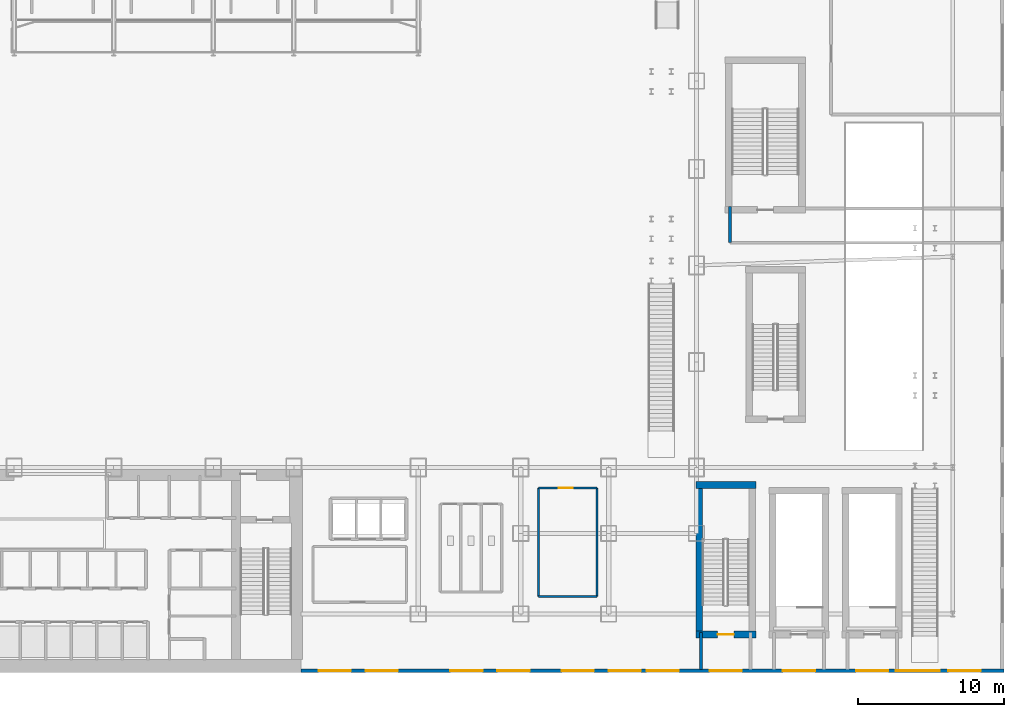
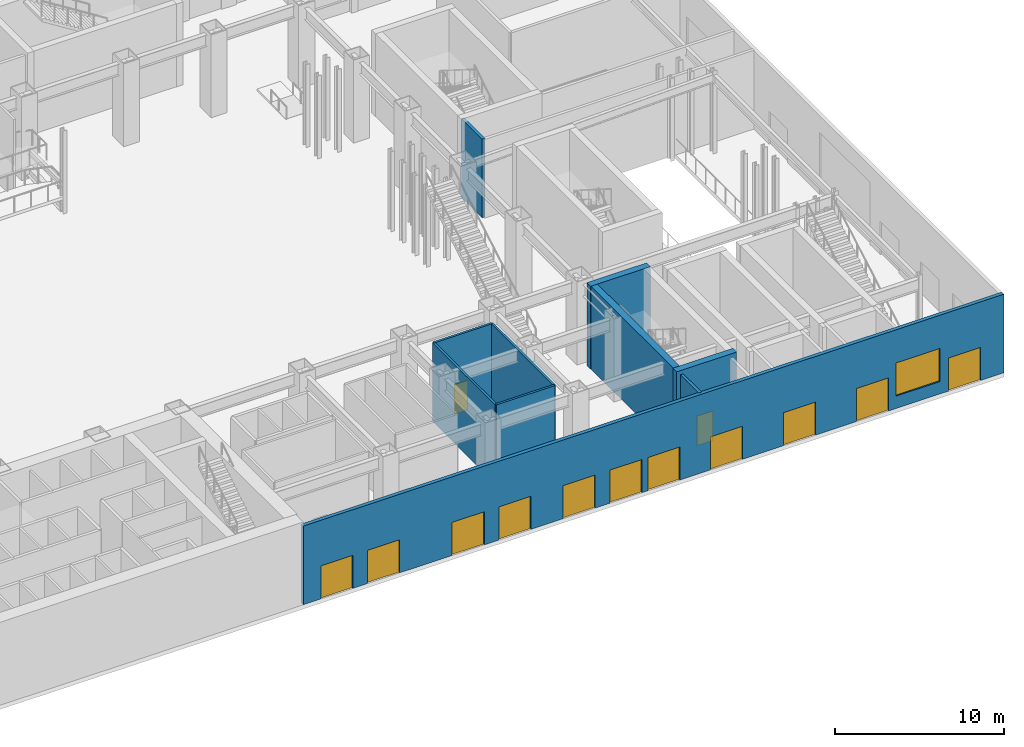
# One storey, part 12 of 25: 13 doors, 10 walls, 1 window, 14 openings.
"""IFC4 building model written with IfcOpenShell, lengths in metres."""

from ifc_helpers import new_model, si_unit, derived_unit, direction, frame, frame_2d, origin, place, context, subcontext, project, spatial, rectangle, extrude, source, transform, mapped, material, layer, layer_set, type_object, element, fill, save


model = new_model("IFC4")

# Units and contexts
model_context = context("Model", 3, precision=1e-05, world=origin(), true_north=direction((0.0, 1.0)))
body_context = subcontext(model_context, "Body", "Model", "MODEL_VIEW")
ifc_project = project(units=[si_unit("LENGTHUNIT", "METRE"), si_unit("AREAUNIT", "SQUARE_METRE"), si_unit("VOLUMEUNIT", "CUBIC_METRE"), si_unit("PLANEANGLEUNIT", "RADIAN"), si_unit("MASSUNIT", "GRAM", prefix="KILO"), derived_unit("THERMALTRANSMITTANCEUNIT", [(si_unit("POWERUNIT", "WATT"), 1), (si_unit("LENGTHUNIT", "METRE"), -2), (si_unit("THERMODYNAMICTEMPERATUREUNIT", "KELVIN"), -1)])], contexts=[model_context])

# Site, building, storey
site_placement = place(None, origin())
site = spatial("IfcSite", under=ifc_project, at=site_placement, CompositionType="ELEMENT")
building_placement = place(site_placement, origin())
building = spatial("IfcBuilding", under=site, at=building_placement, Name="Skarnbrae Concourse Arena and Tower", CompositionType="ELEMENT")
storey_placement = place(building_placement, origin())
storey = spatial("IfcBuildingStorey", under=building, at=storey_placement, Name="L00", CompositionType="ELEMENT", Elevation=0.0)

# Wall, openings, doors, window
ifc_material_1 = material(Name="Precast concrete 40 MPa (C40/50)", Category="concrete")
ifc_layer_1 = layer(ifc_material_1, 0.25)
ifc_layer_set_1 = layer_set([ifc_layer_1], Name="Precast concrete 40 MPa (C40/50)")
wall_type_1 = type_object("IfcWallType", Name="WALL-EXT-SPANDREL-250", PredefinedType="STANDARD", material=ifc_layer_set_1)
shared_shape_1 = source(origin(), body_context, "Body", "SweptSolid", [
    extrude(rectangle(XDim=48.0, YDim=0.25, at=frame_2d((24.0, 0.0))), origin(), (0.0, 0.0, 1.0), 5.699951171875),
])
wall_1_placement = place(storey_placement, frame((34.0, 0.125, 0.0), z_axis=(0.0, 0.0, 1.0), x_axis=(1.0, 0.0, 0.0)))
wall_1 = element("IfcWall", 1, at=wall_1_placement, inside=storey, type_object=wall_type_1, Name="L00 Podium exterior precast wall SE", PredefinedType="STANDARD", context=body_context, shape_type="MappedRepresentation", body=[
    mapped(shared_shape_1, transform((0.0, 0.0, 0.0))),
])
opening_1_placement = place(wall_1_placement, frame((1.199951171875, 0.0, 0.0)))
opening_1 = element("IfcOpeningElement", 2, at=opening_1_placement, cuts=wall_1, Name="Opening DT-EX", PredefinedType="OPENING", context=body_context, shape_type="SweptSolid", body=[
    extrude(rectangle(XDim=2.199951171875, YDim=2.39990234375, at=frame_2d((1.10009765625, 1.199951171875))), frame((0.0, 0.135009765625, 0.0), z_axis=(0.0, -1.0, 0.0), x_axis=(1.0, 0.0, 0.0)), (0.0, 0.0, 1.0), 0.27001953125),
])
opening_2_placement = place(wall_1_placement, frame((4.39990234375, 0.0, 0.0)))
opening_2 = element("IfcOpeningElement", 3, at=opening_2_placement, cuts=wall_1, Name="Opening DT-EX", PredefinedType="OPENING", context=body_context, shape_type="SweptSolid", body=[
    extrude(rectangle(XDim=2.199951171875, YDim=2.39990234375, at=frame_2d((1.10009765625, 1.199951171875))), frame((0.0, 0.135009765625, 0.0), z_axis=(0.0, -1.0, 0.0), x_axis=(1.0, 0.0, 0.0)), (0.0, 0.0, 1.0), 0.27001953125),
])
opening_3_placement = place(wall_1_placement, frame((10.199951171875, 0.0, 0.0)))
opening_3 = element("IfcOpeningElement", 4, at=opening_3_placement, cuts=wall_1, Name="Opening DT-EX", PredefinedType="OPENING", context=body_context, shape_type="SweptSolid", body=[
    extrude(rectangle(XDim=2.199951171875, YDim=2.39990234375, at=frame_2d((1.10009765625, 1.199951171875))), frame((0.0, 0.135009765625, 0.0), z_axis=(0.0, -1.0, 0.0), x_axis=(1.0, 0.0, 0.0)), (0.0, 0.0, 1.0), 0.27001953125),
])
opening_4_placement = place(wall_1_placement, frame((13.39990234375, 0.0, 0.0)))
opening_4 = element("IfcOpeningElement", 5, at=opening_4_placement, cuts=wall_1, Name="Opening DT-EX", PredefinedType="OPENING", context=body_context, shape_type="SweptSolid", body=[
    extrude(rectangle(XDim=2.199951171875, YDim=2.39990234375, at=frame_2d((1.10009765625, 1.199951171875))), frame((0.0, 0.135009765625, 0.0), z_axis=(0.0, -1.0, 0.0), x_axis=(1.0, 0.0, 0.0)), (0.0, 0.0, 1.0), 0.27001953125),
])
opening_5_placement = place(wall_1_placement, frame((17.800048828125, 0.0, 0.0)))
opening_5 = element("IfcOpeningElement", 6, at=opening_5_placement, cuts=wall_1, Name="Opening DT-EX", PredefinedType="OPENING", context=body_context, shape_type="SweptSolid", body=[
    extrude(rectangle(XDim=2.199951171875, YDim=2.39990234375, at=frame_2d((1.10009765625, 1.199951171875))), frame((0.0, 0.135009765625, 0.0), z_axis=(0.0, -1.0, 0.0), x_axis=(1.0, 0.0, 0.0)), (0.0, 0.0, 1.0), 0.27001953125),
])
opening_6_placement = place(wall_1_placement, frame((21.0, 0.0, 0.0)))
opening_6 = element("IfcOpeningElement", 7, at=opening_6_placement, cuts=wall_1, Name="Opening DT-EX", PredefinedType="OPENING", context=body_context, shape_type="SweptSolid", body=[
    extrude(rectangle(XDim=2.199951171875, YDim=2.39990234375, at=frame_2d((1.10009765625, 1.199951171875))), frame((0.0, 0.135009765625, 0.0), z_axis=(0.0, -1.0, 0.0), x_axis=(1.0, 0.0, 0.0)), (0.0, 0.0, 1.0), 0.27001953125),
])
opening_7_placement = place(wall_1_placement, frame((23.60009765625, 0.0, 0.0)))
opening_7 = element("IfcOpeningElement", 8, at=opening_7_placement, cuts=wall_1, Name="Opening DT-EX", PredefinedType="OPENING", context=body_context, shape_type="SweptSolid", body=[
    extrude(rectangle(XDim=2.199951171875, YDim=2.39990234375, at=frame_2d((1.10009765625, 1.199951171875))), frame((0.0, 0.135009765625, 0.0), z_axis=(0.0, -1.0, 0.0), x_axis=(1.0, 0.0, 0.0)), (0.0, 0.0, 1.0), 0.27001953125),
])
opening_8_placement = place(wall_1_placement, frame((27.89990234375, 0.0, 0.0)))
opening_8 = element("IfcOpeningElement", 9, at=opening_8_placement, cuts=wall_1, Name="Opening DT-EX", PredefinedType="OPENING", context=body_context, shape_type="SweptSolid", body=[
    extrude(rectangle(XDim=2.199951171875, YDim=2.39990234375, at=frame_2d((1.10009765625, 1.199951171875))), frame((0.0, 0.135009765625, 0.0), z_axis=(0.0, -1.0, 0.0), x_axis=(1.0, 0.0, 0.0)), (0.0, 0.0, 1.0), 0.27001953125),
])
opening_9_placement = place(wall_1_placement, frame((32.89990234375, 0.0, 0.0)))
opening_9 = element("IfcOpeningElement", 10, at=opening_9_placement, cuts=wall_1, Name="Opening DT-EX", PredefinedType="OPENING", context=body_context, shape_type="SweptSolid", body=[
    extrude(rectangle(XDim=2.199951171875, YDim=2.39990234375, at=frame_2d((1.10009765625, 1.199951171875))), frame((0.0, 0.135009765625, 0.0), z_axis=(0.0, -1.0, 0.0), x_axis=(1.0, 0.0, 0.0)), (0.0, 0.0, 1.0), 0.27001953125),
])
opening_10_placement = place(wall_1_placement, frame((37.89990234375, 0.0, 0.0)))
opening_10 = element("IfcOpeningElement", 11, at=opening_10_placement, cuts=wall_1, Name="Opening DT-EX", PredefinedType="OPENING", context=body_context, shape_type="SweptSolid", body=[
    extrude(rectangle(XDim=2.199951171875, YDim=2.39990234375, at=frame_2d((1.10009765625, 1.199951171875))), frame((0.0, 0.135009765625, 0.0), z_axis=(0.0, -1.0, 0.0), x_axis=(1.0, 0.0, 0.0)), (0.0, 0.0, 1.0), 0.27001953125),
])
opening_11_placement = place(wall_1_placement, frame((44.199951171875, 0.0, 0.0)))
opening_11 = element("IfcOpeningElement", 12, at=opening_11_placement, cuts=wall_1, Name="Opening DT-EX", PredefinedType="OPENING", context=body_context, shape_type="SweptSolid", body=[
    extrude(rectangle(XDim=2.199951171875, YDim=2.39990234375, at=frame_2d((1.10009765625, 1.199951171875))), frame((0.0, 0.135009765625, 0.0), z_axis=(0.0, -1.0, 0.0), x_axis=(1.0, 0.0, 0.0)), (0.0, 0.0, 1.0), 0.27001953125),
])
opening_12_placement = place(wall_1_placement, frame((40.60009765625, 0.0, 0.89990234375)))
opening_12 = element("IfcOpeningElement", 13, at=opening_12_placement, cuts=wall_1, Name="Opening WN-04", PredefinedType="OPENING", context=body_context, shape_type="SweptSolid", body=[
    extrude(rectangle(XDim=3.0, YDim=2.39990234375, at=frame_2d((1.5, 1.199951171875))), frame((0.0, 0.135009765625, 0.0), z_axis=(0.0, -1.0, 0.0), x_axis=(1.0, 0.0, 0.0)), (0.0, 0.0, 1.0), 0.27001953125),
])
ifc_material_2 = material(Name="Bronze anodised aluminium 6063-T6", Category="aluminium")
door_type_1 = type_object("IfcDoorType", Name="DOOR-EXIT-2200", OperationType="DOUBLE_DOOR_SINGLE_SWING", PredefinedType="DOOR", material=ifc_material_2)
shared_shape_2 = source(origin(), body_context, "Body", "SweptSolid", [
    extrude(rectangle(XDim=2.199951171875, YDim=2.39990234375, at=frame_2d((1.10009765625, 1.199951171875))), frame((0.0, 0.02490234375, 0.0), z_axis=(0.0, -1.0, 0.0), x_axis=(1.0, 0.0, 0.0)), (0.0, 0.0, 1.0), 0.050048828125),
])
door_1_placement = place(opening_1_placement, frame((2.199951171875, 0.0, 0.0), z_axis=(0.0, 0.0, 1.0), x_axis=(-1.0, 0.0, 0.0)))
door_1 = element("IfcDoor", 14, at=door_1_placement, inside=storey, type_object=door_type_1, Name="D-0011 Final Exit EX-11", OperationType="DOUBLE_DOOR_SINGLE_SWING", OverallHeight=2.39990234375, OverallWidth=2.199951171875, PredefinedType="DOOR", context=body_context, shape_type="MappedRepresentation", body=[
    mapped(shared_shape_2, transform((0.0, 0.0, 0.0))),
])
fill(opening_1, door_1)
door_2_placement = place(opening_2_placement, frame((2.199951171875, 0.0, 0.0), z_axis=(0.0, 0.0, 1.0), x_axis=(-1.0, 0.0, 0.0)))
door_2 = element("IfcDoor", 15, at=door_2_placement, inside=storey, type_object=door_type_1, Name="D-0012 Final Exit EX-12", OperationType="DOUBLE_DOOR_SINGLE_SWING", OverallHeight=2.39990234375, OverallWidth=2.199951171875, PredefinedType="DOOR", context=body_context, shape_type="MappedRepresentation", body=[
    mapped(shared_shape_2, transform((0.0, 0.0, 0.0))),
])
fill(opening_2, door_2)
door_3_placement = place(opening_3_placement, frame((2.199951171875, 0.0, 0.0), z_axis=(0.0, 0.0, 1.0), x_axis=(-1.0, 0.0, 0.0)))
door_3 = element("IfcDoor", 16, at=door_3_placement, inside=storey, type_object=door_type_1, Name="D-0013 Final Exit EX-13", OperationType="DOUBLE_DOOR_SINGLE_SWING", OverallHeight=2.39990234375, OverallWidth=2.199951171875, PredefinedType="DOOR", context=body_context, shape_type="MappedRepresentation", body=[
    mapped(shared_shape_2, transform((0.0, 0.0, 0.0))),
])
fill(opening_3, door_3)
door_4_placement = place(opening_4_placement, frame((2.199951171875, 0.0, 0.0), z_axis=(0.0, 0.0, 1.0), x_axis=(-1.0, 0.0, 0.0)))
door_4 = element("IfcDoor", 17, at=door_4_placement, inside=storey, type_object=door_type_1, Name="D-0014 Final Exit EX-14", OperationType="DOUBLE_DOOR_SINGLE_SWING", OverallHeight=2.39990234375, OverallWidth=2.199951171875, PredefinedType="DOOR", context=body_context, shape_type="MappedRepresentation", body=[
    mapped(shared_shape_2, transform((0.0, 0.0, 0.0))),
])
fill(opening_4, door_4)
door_5_placement = place(opening_5_placement, frame((2.199951171875, 0.0, 0.0), z_axis=(0.0, 0.0, 1.0), x_axis=(-1.0, 0.0, 0.0)))
door_5 = element("IfcDoor", 18, at=door_5_placement, inside=storey, type_object=door_type_1, Name="D-0015 Final Exit EX-15", OperationType="DOUBLE_DOOR_SINGLE_SWING", OverallHeight=2.39990234375, OverallWidth=2.199951171875, PredefinedType="DOOR", context=body_context, shape_type="MappedRepresentation", body=[
    mapped(shared_shape_2, transform((0.0, 0.0, 0.0))),
])
fill(opening_5, door_5)
door_6_placement = place(opening_6_placement, frame((2.199951171875, 0.0, 0.0), z_axis=(0.0, 0.0, 1.0), x_axis=(-1.0, 0.0, 0.0)))
door_6 = element("IfcDoor", 19, at=door_6_placement, inside=storey, type_object=door_type_1, Name="D-0016 Final Exit EX-16", OperationType="DOUBLE_DOOR_SINGLE_SWING", OverallHeight=2.39990234375, OverallWidth=2.199951171875, PredefinedType="DOOR", context=body_context, shape_type="MappedRepresentation", body=[
    mapped(shared_shape_2, transform((0.0, 0.0, 0.0))),
])
fill(opening_6, door_6)
door_7_placement = place(opening_7_placement, frame((2.199951171875, 0.0, 0.0), z_axis=(0.0, 0.0, 1.0), x_axis=(-1.0, 0.0, 0.0)))
door_7 = element("IfcDoor", 20, at=door_7_placement, inside=storey, type_object=door_type_1, Name="D-0017 Final Exit EX-17", OperationType="DOUBLE_DOOR_SINGLE_SWING", OverallHeight=2.39990234375, OverallWidth=2.199951171875, PredefinedType="DOOR", context=body_context, shape_type="MappedRepresentation", body=[
    mapped(shared_shape_2, transform((0.0, 0.0, 0.0))),
])
fill(opening_7, door_7)
door_8_placement = place(opening_8_placement, frame((2.199951171875, 0.0, 0.0), z_axis=(0.0, 0.0, 1.0), x_axis=(-1.0, 0.0, 0.0)))
door_8 = element("IfcDoor", 21, at=door_8_placement, inside=storey, type_object=door_type_1, Name="D-0018 Final Exit EX-18", OperationType="DOUBLE_DOOR_SINGLE_SWING", OverallHeight=2.39990234375, OverallWidth=2.199951171875, PredefinedType="DOOR", context=body_context, shape_type="MappedRepresentation", body=[
    mapped(shared_shape_2, transform((0.0, 0.0, 0.0))),
])
fill(opening_8, door_8)
door_9_placement = place(opening_9_placement, frame((2.199951171875, 0.0, 0.0), z_axis=(0.0, 0.0, 1.0), x_axis=(-1.0, 0.0, 0.0)))
door_9 = element("IfcDoor", 22, at=door_9_placement, inside=storey, type_object=door_type_1, Name="D-0019 Final Exit EX-19", OperationType="DOUBLE_DOOR_SINGLE_SWING", OverallHeight=2.39990234375, OverallWidth=2.199951171875, PredefinedType="DOOR", context=body_context, shape_type="MappedRepresentation", body=[
    mapped(shared_shape_2, transform((0.0, 0.0, 0.0))),
])
fill(opening_9, door_9)
door_10_placement = place(opening_10_placement, frame((2.199951171875, 0.0, 0.0), z_axis=(0.0, 0.0, 1.0), x_axis=(-1.0, 0.0, 0.0)))
door_10 = element("IfcDoor", 23, at=door_10_placement, inside=storey, type_object=door_type_1, Name="D-0020 Final Exit EX-20", OperationType="DOUBLE_DOOR_SINGLE_SWING", OverallHeight=2.39990234375, OverallWidth=2.199951171875, PredefinedType="DOOR", context=body_context, shape_type="MappedRepresentation", body=[
    mapped(shared_shape_2, transform((0.0, 0.0, 0.0))),
])
fill(opening_10, door_10)
door_11_placement = place(opening_11_placement, frame((2.199951171875, 0.0, 0.0), z_axis=(0.0, 0.0, 1.0), x_axis=(-1.0, 0.0, 0.0)))
door_11 = element("IfcDoor", 24, at=door_11_placement, inside=storey, type_object=door_type_1, Name="D-0021 Final Exit EX-21", OperationType="DOUBLE_DOOR_SINGLE_SWING", OverallHeight=2.39990234375, OverallWidth=2.199951171875, PredefinedType="DOOR", context=body_context, shape_type="MappedRepresentation", body=[
    mapped(shared_shape_2, transform((0.0, 0.0, 0.0))),
])
fill(opening_11, door_11)
ifc_material_3 = material(Name="Low-E triple insulating glass", Category="glass")
window_type = type_object("IfcWindowType", Name="WIN-EXT-3000X2400", PartitioningType="SINGLE_PANEL", PredefinedType="WINDOW", material=ifc_material_3)
shared_shape_3 = source(origin(), body_context, "Body", "SweptSolid", [
    extrude(rectangle(XDim=3.0, YDim=2.39990234375, at=frame_2d((1.5, 1.199951171875))), frame((0.0, 0.030029296875, 0.0), z_axis=(0.0, -1.0, 0.0), x_axis=(1.0, 0.0, 0.0)), (0.0, 0.0, 1.0), 0.06005859375),
])
window_placement = place(opening_12_placement, origin())
window = element("IfcWindow", 25, at=window_placement, inside=storey, type_object=window_type, Name="L00 Concourse clerestory window N05", OverallHeight=2.39990234375, OverallWidth=3.0, PartitioningType="SINGLE_PANEL", PredefinedType="WINDOW", context=body_context, shape_type="MappedRepresentation", body=[
    mapped(shared_shape_3, transform((0.0, 0.0, 0.0))),
])
fill(opening_12, window)

# Wall, opening, door
ifc_material_4 = material(Name="Concrete 50 MPa (C50/60)", Category="concrete")
ifc_layer_2 = layer(ifc_material_4, 0.449951171875)
ifc_layer_set_2 = layer_set([ifc_layer_2], Name="Concrete 50 MPa (C50/60)")
wall_type_2 = type_object("IfcWallType", Name="WALL-CORE-450-C50", PredefinedType="SHEAR", material=ifc_layer_set_2)
shared_shape_4 = source(origin(), body_context, "Body", "SweptSolid", [
    extrude(rectangle(XDim=4.10009765625, YDim=0.449951171875, at=frame_2d((2.050048828125, 0.0))), origin(), (0.0, 0.0, 1.0), 6.0),
])
wall_2_placement = place(storey_placement, frame((60.949951171875, 2.594970703125, 0.0), z_axis=(0.0, 0.0, 1.0), x_axis=(1.0, 0.0, 0.0)))
wall_2 = element("IfcWall", 26, at=wall_2_placement, inside=storey, type_object=wall_type_2, Name="L00 Protected stair shaft wall ST-A1-S", PredefinedType="SHEAR", context=body_context, shape_type="MappedRepresentation", body=[
    mapped(shared_shape_4, transform((0.0, 0.0, 0.0))),
])
opening_13_placement = place(wall_2_placement, frame((1.5, 0.0, 0.0)))
opening_13 = element("IfcOpeningElement", 27, at=opening_13_placement, cuts=wall_2, Name="Opening DT-03", PredefinedType="OPENING", context=body_context, shape_type="SweptSolid", body=[
    extrude(rectangle(XDim=1.10009765625, YDim=2.14990234375, at=frame_2d((0.550048828125, 1.074951171875))), frame((0.0, 0.23486328125, 0.0), z_axis=(0.0, -1.0, 0.0), x_axis=(1.0, 0.0, 0.0)), (0.0, 0.0, 1.0), 0.469970703125),
])
ifc_material_5 = material(Name="Steel CSA G40.21 350W", Category="steel")
door_type_2 = type_object("IfcDoorType", Name="DOOR-FIRE-1100-90M", OperationType="NOTDEFINED", PredefinedType="DOOR", material=ifc_material_5)
shared_shape_5 = source(origin(), body_context, "Body", "SweptSolid", [
    extrude(rectangle(XDim=1.10009765625, YDim=2.14990234375, at=frame_2d((0.550048828125, 1.074951171875))), frame((0.0, 0.02490234375, 0.0), z_axis=(0.0, -1.0, 0.0), x_axis=(1.0, 0.0, 0.0)), (0.0, 0.0, 1.0), 0.050048828125),
])
door_12_placement = place(opening_13_placement, frame((1.10009765625, 0.0, 0.0), z_axis=(0.0, 0.0, 1.0), x_axis=(-1.0, 0.0, 0.0)))
door_12 = element("IfcDoor", 28, at=door_12_placement, inside=storey, type_object=door_type_2, Name="D-0187 Exit Stair ST-A1 Door", OperationType="SINGLE_SWING_LEFT", OverallHeight=2.14990234375, OverallWidth=1.10009765625, PredefinedType="DOOR", context=body_context, shape_type="MappedRepresentation", body=[
    mapped(shared_shape_5, transform((0.0, 0.0, 0.0))),
])
fill(opening_13, door_12)

# Walls
wall_3_placement = place(storey_placement, frame((60.949951171875, 12.804931640625, 0.0), z_axis=(0.0, 0.0, 1.0), x_axis=(1.0, 0.0, 0.0)))
element("IfcWall", 29, at=wall_3_placement, inside=storey, type_object=wall_type_2, Name="L00 Protected stair shaft wall ST-A1-N", PredefinedType="SHEAR", context=body_context, shape_type="MappedRepresentation", body=[
    mapped(shared_shape_4, transform((0.0, 0.0, 0.0))),
])
shared_shape_6 = source(origin(), body_context, "Body", "SweptSolid", [
    extrude(rectangle(XDim=9.800048828125, YDim=0.449951171875, at=frame_2d((4.89990234375, 0.0))), origin(), (0.0, 0.0, 1.0), 6.0),
])
wall_4_placement = place(storey_placement, frame((61.195068359375, 2.800048828125, 0.0), z_axis=(0.0, 0.0, 1.0), x_axis=(0.0, 1.0, 0.0)))
element("IfcWall", 30, at=wall_4_placement, inside=storey, type_object=wall_type_2, Name="L00 Protected stair shaft wall ST-A1-W", PredefinedType="SHEAR", context=body_context, shape_type="MappedRepresentation", body=[
    mapped(shared_shape_6, transform((0.0, 0.0, 0.0))),
])
ifc_material_6 = material(Name="Gypsum board on cold-formed steel studs", Category="steel")
ifc_layer_3 = layer(ifc_material_6, 0.199951171875)
ifc_layer_set_3 = layer_set([ifc_layer_3], Name="Gypsum board on cold-formed steel studs")
wall_type_3 = type_object("IfcWallType", Name="WALL-PART-200-2HR", PredefinedType="PARTITIONING", material=ifc_layer_set_3)
shared_shape_7 = source(origin(), body_context, "Body", "SweptSolid", [
    extrude(rectangle(XDim=2.47998046875, YDim=0.199951171875, at=frame_2d((1.239990234375, 0.0))), origin(), (0.0, 0.0, 1.0), 5.699951171875),
])
wall_5_placement = place(storey_placement, frame((63.300048828125, 29.35009765625, 0.0), z_axis=(0.0, 0.0, 1.0), x_axis=(0.0, 1.0, 0.0)))
element("IfcWall", 31, at=wall_5_placement, inside=storey, type_object=wall_type_3, Name="L00 Interior partition wall W-L00-PEX-ST-A4-W", PredefinedType="PARTITIONING", context=body_context, shape_type="MappedRepresentation", body=[
    mapped(shared_shape_7, transform((0.0, 0.0, 0.0))),
])
shared_shape_8 = source(origin(), body_context, "Body", "SweptSolid", [
    extrude(rectangle(XDim=2.550048828125, YDim=0.199951171875, at=frame_2d((1.27490234375, 0.0))), origin(), (0.0, 0.0, 1.0), 5.699951171875),
])
wall_6_placement = place(storey_placement, frame((61.300048828125, 0.199951171875, 0.0), z_axis=(0.0, 0.0, 1.0), x_axis=(0.0, 1.0, 0.0)))
element("IfcWall", 32, at=wall_6_placement, inside=storey, type_object=wall_type_3, Name="L00 Interior partition wall W-L00-PEX-ST-A1-W", PredefinedType="PARTITIONING", context=body_context, shape_type="MappedRepresentation", body=[
    mapped(shared_shape_8, transform((0.0, 0.0, 0.0))),
])

# Wall, opening, door
ifc_layer_4 = layer(ifc_material_6, 0.14990234375)
ifc_layer_set_4 = layer_set([ifc_layer_4], Name="Gypsum board on cold-formed steel studs")
wall_type_4 = type_object("IfcWallType", Name="WALL-PART-150-1HR", PredefinedType="PARTITIONING", material=ifc_layer_set_4)
shared_shape_9 = source(origin(), body_context, "Body", "SweptSolid", [
    extrude(rectangle(XDim=4.0, YDim=0.14990234375, at=frame_2d((2.0, 0.0))), origin(), (0.0, 0.0, 1.0), 5.699951171875),
])
wall_7_placement = place(storey_placement, frame((50.199951171875, 12.60009765625, 0.0), z_axis=(0.0, 0.0, 1.0), x_axis=(1.0, 0.0, 0.0)))
wall_7 = element("IfcWall", 33, at=wall_7_placement, inside=storey, type_object=wall_type_4, Name="L00 Interior partition wall W-L00-TKT-N", PredefinedType="PARTITIONING", context=body_context, shape_type="MappedRepresentation", body=[
    mapped(shared_shape_9, transform((0.0, 0.0, 0.0))),
])
opening_14_placement = place(wall_7_placement, frame((1.39990234375, 0.0, 0.0)))
opening_14 = element("IfcOpeningElement", 34, at=opening_14_placement, cuts=wall_7, Name="Opening DT-04", PredefinedType="OPENING", context=body_context, shape_type="SweptSolid", body=[
    extrude(rectangle(XDim=0.949951171875, YDim=2.14990234375, at=frame_2d((0.47509765625, 1.074951171875))), frame((0.0, 0.0849609375, 0.0), z_axis=(0.0, -1.0, 0.0), x_axis=(1.0, 0.0, 0.0)), (0.0, 0.0, 1.0), 0.169921875),
])
door_type_3 = type_object("IfcDoorType", Name="DOOR-INT-950-45M", OperationType="NOTDEFINED", PredefinedType="DOOR", material=ifc_material_5)
shared_shape_10 = source(origin(), body_context, "Body", "SweptSolid", [
    extrude(rectangle(XDim=0.949951171875, YDim=2.14990234375, at=frame_2d((0.47509765625, 1.074951171875))), frame((0.0, 0.02490234375, 0.0), z_axis=(0.0, -1.0, 0.0), x_axis=(1.0, 0.0, 0.0)), (0.0, 0.0, 1.0), 0.050048828125),
])
door_13_placement = place(opening_14_placement, frame((0.949951171875, 0.0, 0.0), z_axis=(0.0, 0.0, 1.0), x_axis=(-1.0, 0.0, 0.0)))
door_13 = element("IfcDoor", 35, at=door_13_placement, inside=storey, type_object=door_type_3, Name="D-0182 Transit Ticket Hall Door", OperationType="SINGLE_SWING_RIGHT", OverallHeight=2.14990234375, OverallWidth=0.949951171875, PredefinedType="DOOR", context=body_context, shape_type="MappedRepresentation", body=[
    mapped(shared_shape_10, transform((0.0, 0.0, 0.0))),
])
fill(opening_14, door_13)

# Walls
wall_8_placement = place(storey_placement, frame((50.199951171875, 5.199951171875, 0.0), z_axis=(0.0, 0.0, 1.0), x_axis=(1.0, 0.0, 0.0)))
element("IfcWall", 36, at=wall_8_placement, inside=storey, type_object=wall_type_4, Name="L00 Interior partition wall W-L00-TKT-S", PredefinedType="PARTITIONING", context=body_context, shape_type="MappedRepresentation", body=[
    mapped(shared_shape_9, transform((0.0, 0.0, 0.0))),
])
shared_shape_11 = source(origin(), body_context, "Body", "SweptSolid", [
    extrude(rectangle(XDim=7.400146484375, YDim=0.14990234375, at=frame_2d((3.7001953125, 0.0))), origin(), (0.0, 0.0, 1.0), 5.699951171875),
])
for number, where, z_axis, x_axis, name in (
    (37, (50.199951171875, 5.199951171875, 0.0), (0.0, 0.0, 1.0), (0.0, 1.0, 0.0), "L00 Interior partition wall W-L00-TKT-W"),
    (38, (54.199951171875, 5.199951171875, 0.0), (0.0, 0.0, 1.0), (0.0, 1.0, 0.0), "L00 Interior partition wall W-L00-TKT-E"),
):
    element("IfcWall", number, at=place(storey_placement, frame(where, z_axis=z_axis, x_axis=x_axis)), inside=storey, type_object=wall_type_4, Name=name, PredefinedType="PARTITIONING", context=body_context, shape_type="MappedRepresentation", body=[
        mapped(shared_shape_11, transform((0.0, 0.0, 0.0))),
    ])

save(model, "model.ifc")
